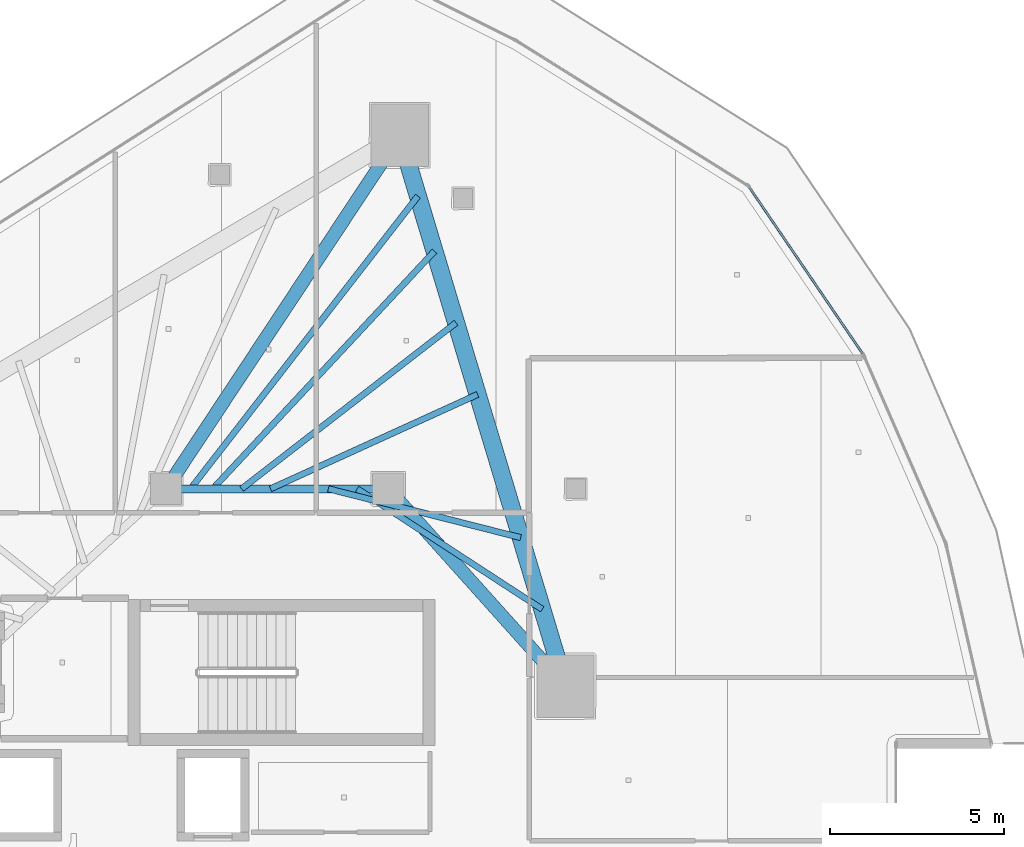
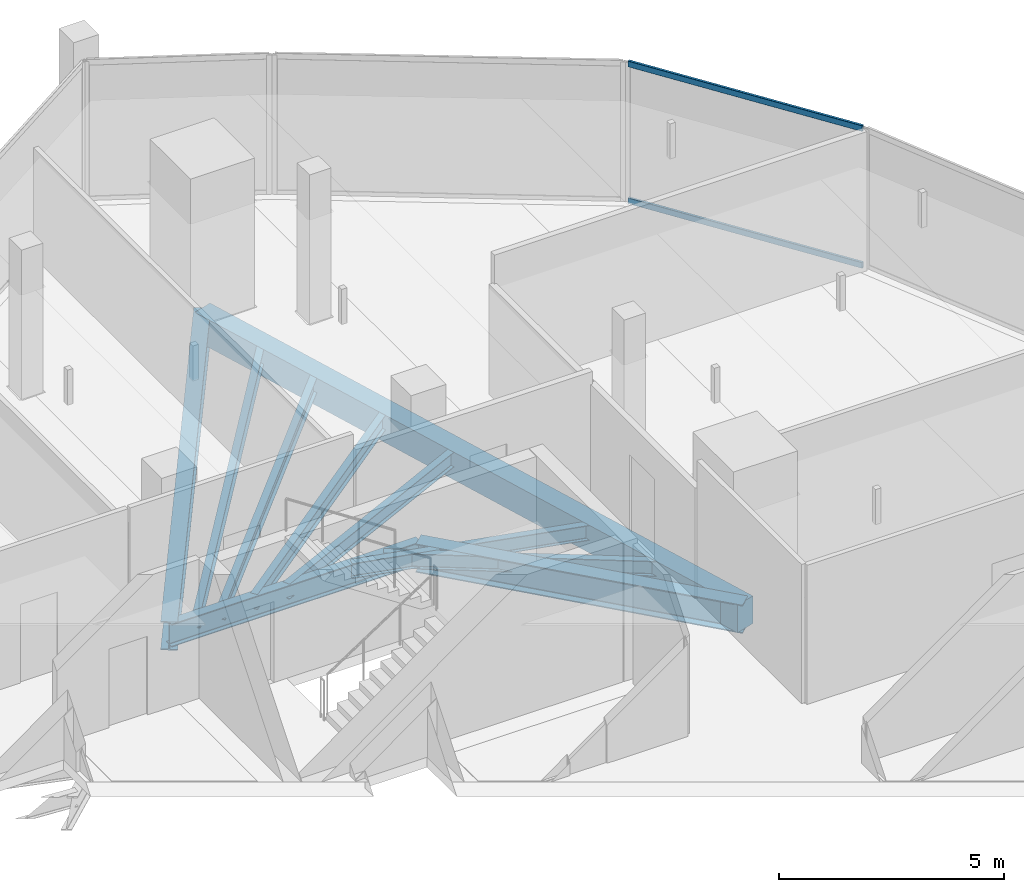
# One storey, part 17 of 33: 10 beams, 2 members, 1 element without a shape of its own.
"""IFC4 building model written with IfcOpenShell, lengths in metres."""

from ifc_helpers import new_model, si_unit, direction, frame, origin, origin_2d, place, context, subcontext, project, spatial, rectangle, hollow_rectangle, i_section, extrude, material, layer, layer_set, material_profile, profile_set, type_object, element, aggregate, save


model = new_model("IFC4")

# Units and contexts
model_context = context("Model", 3, precision=1e-05, world=origin(), true_north=direction((0.0, 1.0)))
body_context = subcontext(model_context, "Body", "Model", "MODEL_VIEW")
ifc_project = project(units=[si_unit("LENGTHUNIT", "METRE"), si_unit("AREAUNIT", "SQUARE_METRE"), si_unit("VOLUMEUNIT", "CUBIC_METRE"), si_unit("PLANEANGLEUNIT", "RADIAN"), si_unit("MASSUNIT", "GRAM", prefix="KILO")], contexts=[model_context])

# Site, building, storey
site_placement = place(None, origin())
site = spatial("IfcSite", under=ifc_project, at=site_placement, CompositionType="ELEMENT")
building_placement = place(site_placement, origin())
building = spatial("IfcBuilding", under=site, at=building_placement, Name="Qorvath Tower", CompositionType="ELEMENT")
storey_placement = place(building_placement, frame((0.0, 0.0, 237.449951171875)))
storey = spatial("IfcBuildingStorey", under=building, at=storey_placement, Name="L55", CompositionType="ELEMENT", Elevation=237.449951171875)

# Beams
ifc_material_1 = material(Name="Steel ASTM A992 Grade 50", Category="steel")
ifc_material_profile_1 = material_profile(ifc_material_1, i_section(OverallWidth=0.381103515625, OverallDepth=0.77294921875, WebThickness=0.0166015625, FlangeThickness=0.027099609375, FilletRadius=0.01904296875, at=origin_2d()), Name="W30x173")
ifc_profile_set_1 = profile_set([ifc_material_profile_1], Name="Steel ASTM A992 Grade 50")
beam_type_1 = type_object("IfcBeamType", Name="BM-FG3", PredefinedType="BEAM", material=ifc_profile_set_1)
beam_1_placement = place(storey_placement, frame((-23.60009765625, 11.449951171875, -0.656494140625), z_axis=(0.551500517741, 0.834174549439, 0.0), x_axis=(-0.834174549439, 0.551500517741, 0.0)))
element("IfcBeam", 1, at=beam_1_placement, inside=storey, type_object=beam_type_1, Name="Radial Floor Girder CC1-MC6 L55", PredefinedType="BEAM", context=body_context, shape_type="SweptSolid", body=[
    extrude(i_section(OverallWidth=0.381103515625, OverallDepth=0.77294921875, WebThickness=0.0166015625, FlangeThickness=0.027099609375, FilletRadius=0.01904296875, at=origin_2d()), origin(), (0.0, 0.0, 1.0), 12.200439453125),
])
beam_2_placement = place(storey_placement, frame((-17.199951171875, 11.449951171875, -0.656494140625), z_axis=(0.667543184261, -0.744571082669, 0.0), x_axis=(0.744571082669, 0.667543184261, 0.0)))
element("IfcBeam", 2, at=beam_2_placement, inside=storey, type_object=beam_type_1, Name="Radial Floor Girder CC2-MC5 L55", PredefinedType="BEAM", context=body_context, shape_type="SweptSolid", body=[
    extrude(i_section(OverallWidth=0.381103515625, OverallDepth=0.77294921875, WebThickness=0.0166015625, FlangeThickness=0.027099609375, FilletRadius=0.01904296875, at=origin_2d()), origin(), (0.0, 0.0, 1.0), 7.644775390625),
])
ifc_material_2 = material(Name="Steel ASTM A992 Grade 50", Category="steel")
ifc_material_profile_2 = material_profile(ifc_material_2, i_section(OverallWidth=0.22998046875, OverallDepth=0.616943359375, WebThickness=0.01318359375, FlangeThickness=0.022216796875, FilletRadius=0.014892578125, at=origin_2d()), Name="W24x94")
ifc_profile_set_2 = profile_set([ifc_material_profile_2], Name="Steel ASTM A992 Grade 50")
beam_type_2 = type_object("IfcBeamType", Name="BM-FG6", PredefinedType="BEAM", material=ifc_profile_set_2)
beam_3_placement = place(storey_placement, frame((-23.60009765625, 11.449951171875, -0.57861328125), z_axis=(1.0, 0.0, 0.0), x_axis=(0.0, 1.0, 0.0)))
element("IfcBeam", 3, at=beam_3_placement, inside=storey, type_object=beam_type_2, Name="Core Ring Girder CC1-CC2 L55", PredefinedType="BEAM", context=body_context, shape_type="SweptSolid", body=[
    extrude(i_section(OverallWidth=0.22998046875, OverallDepth=0.616943359375, WebThickness=0.01318359375, FlangeThickness=0.022216796875, FilletRadius=0.014892578125, at=origin_2d()), origin(), (0.0, 0.0, 1.0), 6.400146484375),
])
ifc_material_3 = material(Name="Steel ASTM A992 Grade 50", Category="steel")
ifc_material_profile_3 = material_profile(ifc_material_3, i_section(OverallWidth=0.177978515625, OverallDepth=0.406005859375, WebThickness=0.0078125, FlangeThickness=0.0126953125, FilletRadius=0.010986328125, at=origin_2d()), Name="W16x40")
ifc_profile_set_3 = profile_set([ifc_material_profile_3], Name="Steel ASTM A992 Grade 50")
beam_type_3 = type_object("IfcBeamType", Name="BM-FJ3", PredefinedType="JOIST", material=ifc_profile_set_3)
beam_4_placement = place(storey_placement, frame((-18.095947265625, 11.449951171875, -0.47314453125), z_axis=(0.838041756057, -0.545606098853, 0.0), x_axis=(0.545606098853, 0.838041756057, 0.0)))
element("IfcBeam", 4, at=beam_4_placement, inside=storey, type_object=beam_type_3, Name="Composite Floor Joist NE1 L55", PredefinedType="JOIST", context=body_context, shape_type="SweptSolid", body=[
    extrude(i_section(OverallWidth=0.177978515625, OverallDepth=0.406005859375, WebThickness=0.0078125, FlangeThickness=0.0126953125, FilletRadius=0.010986328125, at=origin_2d()), origin(), (0.0, 0.0, 1.0), 6.36083984375),
])
beam_5_placement = place(storey_placement, frame((-18.927978515625, 11.449951171875, -0.47314453125), z_axis=(0.969231577698, -0.246150662794, 0.0), x_axis=(0.246150662794, 0.969231577698, 0.0)))
element("IfcBeam", 5, at=beam_5_placement, inside=storey, type_object=beam_type_3, Name="Composite Floor Joist NE2 L55", PredefinedType="JOIST", context=body_context, shape_type="SweptSolid", body=[
    extrude(i_section(OverallWidth=0.177978515625, OverallDepth=0.406005859375, WebThickness=0.0078125, FlangeThickness=0.0126953125, FilletRadius=0.010986328125, at=origin_2d()), origin(), (0.0, 0.0, 1.0), 5.718017578125),
])
beam_6_placement = place(storey_placement, frame((-20.592041015625, 11.449951171875, -0.47314453125), z_axis=(0.909945081179, 0.414728765868, 0.0), x_axis=(-0.414728765868, 0.909945081179, 0.0)))
element("IfcBeam", 6, at=beam_6_placement, inside=storey, type_object=beam_type_3, Name="Composite Floor Joist NE4 L55", PredefinedType="JOIST", context=body_context, shape_type="SweptSolid", body=[
    extrude(i_section(OverallWidth=0.177978515625, OverallDepth=0.406005859375, WebThickness=0.0078125, FlangeThickness=0.0126953125, FilletRadius=0.010986328125, at=origin_2d()), origin(), (0.0, 0.0, 1.0), 6.554931640625),
])
beam_7_placement = place(storey_placement, frame((-21.424072265625, 11.449951171875, -0.47314453125), z_axis=(0.790693445503, 0.612212279555, 0.0), x_axis=(-0.612212279555, 0.790693445503, 0.0)))
element("IfcBeam", 7, at=beam_7_placement, inside=storey, type_object=beam_type_3, Name="Composite Floor Joist NE5 L55", PredefinedType="JOIST", context=body_context, shape_type="SweptSolid", body=[
    extrude(i_section(OverallWidth=0.177978515625, OverallDepth=0.406005859375, WebThickness=0.0078125, FlangeThickness=0.0126953125, FilletRadius=0.010986328125, at=origin_2d()), origin(), (0.0, 0.0, 1.0), 7.810546875),
])
beam_8_placement = place(storey_placement, frame((-22.256103515625, 11.449951171875, -0.47314453125), z_axis=(0.682249490937, 0.731119437654, 0.0), x_axis=(-0.731119437654, 0.682249490937, 0.0)))
element("IfcBeam", 8, at=beam_8_placement, inside=storey, type_object=beam_type_3, Name="Composite Floor Joist NE6 L55", PredefinedType="JOIST", context=body_context, shape_type="SweptSolid", body=[
    extrude(i_section(OverallWidth=0.177978515625, OverallDepth=0.406005859375, WebThickness=0.0078125, FlangeThickness=0.0126953125, FilletRadius=0.010986328125, at=origin_2d()), origin(), (0.0, 0.0, 1.0), 9.362060546875),
])
beam_9_placement = place(storey_placement, frame((-22.89599609375, 11.449951171875, -0.47314453125), z_axis=(0.61345131907, 0.789732536452, 0.0), x_axis=(-0.789732536452, 0.61345131907, 0.0)))
element("IfcBeam", 9, at=beam_9_placement, inside=storey, type_object=beam_type_3, Name="Composite Floor Joist NE7 L55", PredefinedType="JOIST", context=body_context, shape_type="SweptSolid", body=[
    extrude(i_section(OverallWidth=0.177978515625, OverallDepth=0.406005859375, WebThickness=0.0078125, FlangeThickness=0.0126953125, FilletRadius=0.010986328125, at=origin_2d()), origin(), (0.0, 0.0, 1.0), 10.676513671875),
])
ifc_material_4 = material(Name="Concrete C45/55", Category="concrete")
ifc_material_profile_4 = material_profile(ifc_material_4, rectangle(XDim=0.5, YDim=0.75, at=origin_2d()), Name="RCB 750x500")
ifc_profile_set_4 = profile_set([ifc_material_profile_4], Name="Concrete C45/55")
beam_type_4 = type_object("IfcBeamType", Name="BM-RCB3", PredefinedType="SPANDREL", material=ifc_profile_set_4)
beam_10_placement = place(storey_placement, frame((-12.0966796875, 5.7578125, -0.64501953125), z_axis=(-0.28812763802, 0.957592013443, 0.0), x_axis=(-0.957592013443, -0.28812763802, 0.0)))
element("IfcBeam", 10, at=beam_10_placement, inside=storey, type_object=beam_type_4, Name="Perimeter Loggia Frame Beam MC5-MC6 L55", PredefinedType="SPANDREL", context=body_context, shape_type="SweptSolid", body=[
    extrude(rectangle(XDim=0.5, YDim=0.75, at=origin_2d()), origin(), (0.0, 0.0, 1.0), 16.572265625),
])

# Curtain wall, members
ifc_material_5 = material(Name="Anodised aluminium and triple low-E glass", Category="aluminium")
ifc_layer = layer(ifc_material_5, 0.179931640625)
ifc_layer_set = layer_set([ifc_layer], Name="CW-SYS-3")
curtain_wall_type = type_object("IfcCurtainWallType", Name="CW-SYS-3", PredefinedType="NOTDEFINED", material=ifc_layer_set)
curtain_wall_placement = place(storey_placement, origin())
curtain_wall = element("IfcCurtainWall", 11, at=curtain_wall_placement, inside=storey, type_object=curtain_wall_type, Name="Curtain Wall CW-3 CW-T-L55-13.1", PredefinedType="NOTDEFINED")
ifc_material_6 = material(Name="Anodised aluminium 6063-T6", Category="aluminium")
ifc_material_profile_5 = material_profile(ifc_material_6, hollow_rectangle(XDim=0.06494140625, YDim=0.159912109375, WallThickness=0.00341796875, InnerFilletRadius=0.00341796875, OuterFilletRadius=0.007080078125, at=origin_2d()), Name="CWT 160x65")
ifc_profile_set_5 = profile_set([ifc_material_profile_5], Name="Anodised aluminium 6063-T6")
member_type = type_object("IfcMemberType", Name="CWT-160", PredefinedType="USERDEFINED", material=ifc_profile_set_5)
member_1_placement = place(storey_placement, frame((-3.54150390625, 15.346435546875, 0.032470703125), z_axis=(-0.562978896765, 0.826471271005, 0.0), x_axis=(-0.826471271005, -0.562978896765, 0.0)))
member_1 = element("IfcMember", 12, at=member_1_placement, type_object=member_type, Name="CW-3 transom 1.1", ObjectType="TRANSOM", PredefinedType="USERDEFINED", context=body_context, shape_type="SweptSolid", body=[
    extrude(hollow_rectangle(XDim=0.06494140625, YDim=0.159912109375, WallThickness=0.00341796875, InnerFilletRadius=0.00341796875, OuterFilletRadius=0.007080078125, at=origin_2d()), origin(), (0.0, 0.0, 1.0), 5.779052734375),
])
member_2_placement = place(storey_placement, frame((-3.54150390625, 15.346435546875, 3.74755859375), z_axis=(-0.562978896765, 0.826471271005, 0.0), x_axis=(-0.826471271005, -0.562978896765, 0.0)))
member_2 = element("IfcMember", 13, at=member_2_placement, type_object=member_type, Name="CW-3 transom 1.2", ObjectType="TRANSOM", PredefinedType="USERDEFINED", context=body_context, shape_type="SweptSolid", body=[
    extrude(hollow_rectangle(XDim=0.06494140625, YDim=0.159912109375, WallThickness=0.00341796875, InnerFilletRadius=0.00341796875, OuterFilletRadius=0.007080078125, at=origin_2d()), origin(), (0.0, 0.0, 1.0), 5.779052734375),
])
aggregate(curtain_wall, [member_1, member_2])

save(model, "model.ifc")
